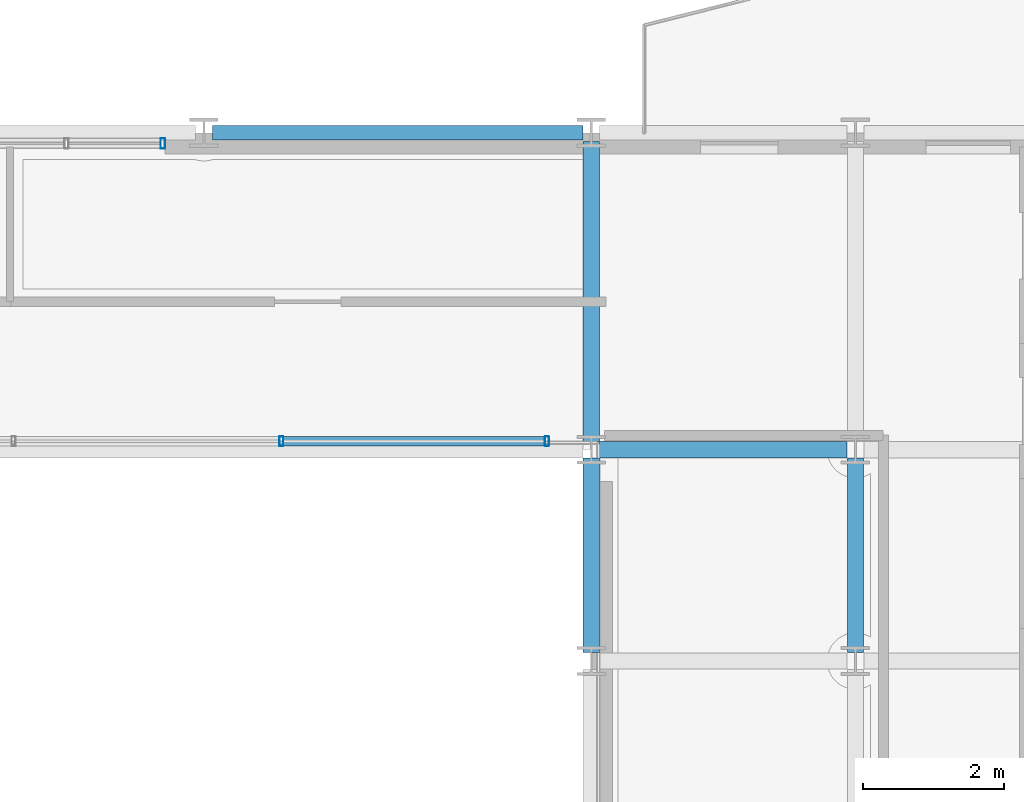
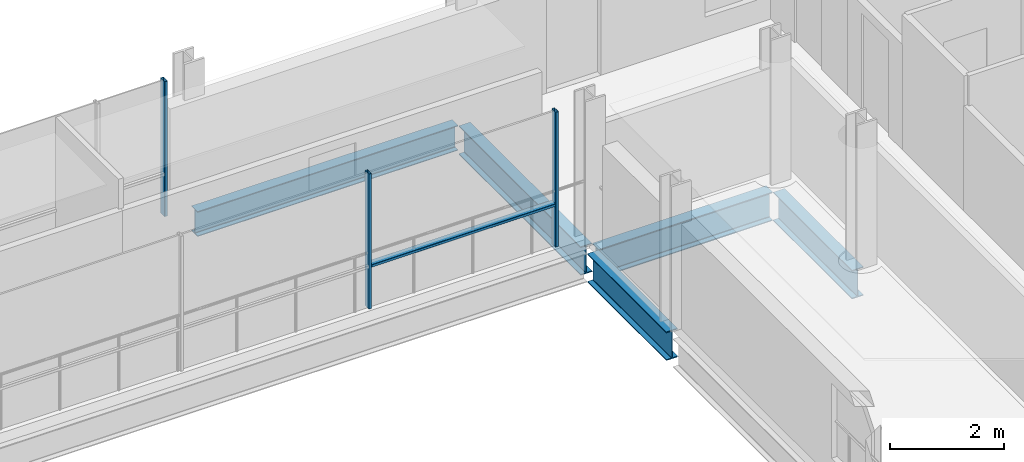
# One storey, part 19 of 38: 5 beams, 4 members, 2 elements without a shape of their own.
"""IFC4 building model written with IfcOpenShell, lengths in metres."""

from ifc_helpers import new_model, si_unit, direction, frame, origin, origin_2d, place, context, subcontext, project, spatial, hollow_rectangle, i_section, extrude, material, layer, layer_set, material_profile, profile_set, type_object, element, aggregate, save


model = new_model("IFC4")

# Units and contexts
model_context = context("Model", 3, precision=1e-05, world=origin(), true_north=direction((0.0, 1.0)))
body_context = subcontext(model_context, "Body", "Model", "MODEL_VIEW")
ifc_project = project(units=[si_unit("LENGTHUNIT", "METRE"), si_unit("AREAUNIT", "SQUARE_METRE"), si_unit("VOLUMEUNIT", "CUBIC_METRE"), si_unit("PLANEANGLEUNIT", "RADIAN"), si_unit("MASSUNIT", "GRAM", prefix="KILO")], contexts=[model_context])

# Site, building, storey
site_placement = place(None, origin())
site = spatial("IfcSite", under=ifc_project, at=site_placement, CompositionType="ELEMENT")
building_placement = place(site_placement, origin())
building = spatial("IfcBuilding", under=site, at=building_placement, Name="Brevholm Reach", CompositionType="ELEMENT")
storey_placement = place(building_placement, frame((0.0, 0.0, 166.60009765625)))
storey = spatial("IfcBuildingStorey", under=building, at=storey_placement, Name="L50", CompositionType="ELEMENT", Elevation=166.60009765625)

# Beams
ifc_material_1 = material(Name="Structural Steel S355J2", Category="steel")
ifc_material_profile_1 = material_profile(ifc_material_1, i_section(OverallWidth=0.209228515625, OverallDepth=0.533203125, WebThickness=0.010009765625, FlangeThickness=0.015625, FilletRadius=0.0126953125, at=origin_2d()), Name="UKB 533x210x92")
ifc_profile_set_1 = profile_set([ifc_material_profile_1], Name="Structural Steel S355J2")
beam_type_1 = type_object("IfcBeamType", Name="BM-SP533", PredefinedType="SPANDREL", material=ifc_profile_set_1)
beam_1_placement = place(storey_placement, frame((32.8701171875, 31.0, -0.486572265625), z_axis=(1.0, 0.0, 0.0), x_axis=(0.0, 1.0, 0.0)))
element("IfcBeam", 1, at=beam_1_placement, inside=storey, type_object=beam_type_1, Name="L50 SP-02 Framing Beam", PredefinedType="SPANDREL", context=body_context, shape_type="SweptSolid", body=[
    extrude(i_section(OverallWidth=0.209228515625, OverallDepth=0.533203125, WebThickness=0.010009765625, FlangeThickness=0.015625, FilletRadius=0.0126953125, at=origin_2d()), origin(), (0.0, 0.0, 1.0), 5.259765625),
])
ifc_material_2 = material(Name="Structural Steel S355J2", Category="steel")
ifc_material_profile_2 = material_profile(ifc_material_2, i_section(OverallWidth=0.22900390625, OverallDepth=0.6123046875, WebThickness=0.011962890625, FlangeThickness=0.01953125, FilletRadius=0.0126953125, at=origin_2d()), Name="UKB 610x229x125")
ifc_profile_set_2 = profile_set([ifc_material_profile_2], Name="Structural Steel S355J2")
beam_type_2 = type_object("IfcBeamType", Name="BM-SP610", PredefinedType="SPANDREL", material=ifc_profile_set_2)
beam_2_placement = place(storey_placement, frame((38.3701171875, 26.5, -0.526123046875), z_axis=(1.0, 0.0, 0.0), x_axis=(0.0, 1.0, 0.0)))
element("IfcBeam", 2, at=beam_2_placement, inside=storey, type_object=beam_type_2, Name="L50 SP-01 Framing Beam", PredefinedType="SPANDREL", context=body_context, shape_type="SweptSolid", body=[
    extrude(i_section(OverallWidth=0.22900390625, OverallDepth=0.6123046875, WebThickness=0.011962890625, FlangeThickness=0.01953125, FilletRadius=0.0126953125, at=origin_2d()), origin(), (0.0, 0.0, 1.0), 3.509765625),
])
beam_3_placement = place(storey_placement, frame((38.25, 23.6201171875, -0.526123046875), z_axis=(0.0, 1.0, 0.0), x_axis=(-1.0, 0.0, 0.0)))
element("IfcBeam", 3, at=beam_3_placement, inside=storey, type_object=beam_type_2, Name="L50 SP-01 Framing Beam", PredefinedType="SPANDREL", context=body_context, shape_type="SweptSolid", body=[
    extrude(i_section(OverallWidth=0.22900390625, OverallDepth=0.6123046875, WebThickness=0.011962890625, FlangeThickness=0.01953125, FilletRadius=0.0126953125, at=origin_2d()), origin(), (0.0, 0.0, 1.0), 2.759765625),
])
beam_4_placement = place(storey_placement, frame((38.25, 26.6201171875, -0.526123046875), z_axis=(0.0, 1.0, 0.0), x_axis=(-1.0, 0.0, 0.0)))
element("IfcBeam", 4, at=beam_4_placement, inside=storey, type_object=beam_type_2, Name="L50 SP-01 Framing Beam", PredefinedType="SPANDREL", context=body_context, shape_type="SweptSolid", body=[
    extrude(i_section(OverallWidth=0.22900390625, OverallDepth=0.6123046875, WebThickness=0.011962890625, FlangeThickness=0.01953125, FilletRadius=0.0126953125, at=origin_2d()), origin(), (0.0, 0.0, 1.0), 4.259765625),
])
beam_5_placement = place(storey_placement, frame((42.0, 23.6201171875, -0.526123046875), z_axis=(0.0, 1.0, 0.0), x_axis=(-1.0, 0.0, 0.0)))
element("IfcBeam", 5, at=beam_5_placement, inside=storey, type_object=beam_type_2, Name="L50 SP-01 Framing Beam", PredefinedType="SPANDREL", context=body_context, shape_type="SweptSolid", body=[
    extrude(i_section(OverallWidth=0.22900390625, OverallDepth=0.6123046875, WebThickness=0.011962890625, FlangeThickness=0.01953125, FilletRadius=0.0126953125, at=origin_2d()), origin(), (0.0, 0.0, 1.0), 2.759765625),
])

# Curtain wall, members
ifc_material_3 = material(Name="Dark Anodised Aluminium 6063-T6 and Solar-Control Glass", Category="aluminium")
ifc_layer_1 = layer(ifc_material_3, 0.139892578125)
ifc_layer_set_1 = layer_set([ifc_layer_1], Name="Dark Anodised Aluminium 6063-T6 and Solar-Control Glass")
curtain_wall_type_1 = type_object("IfcCurtainWallType", Name="CW-02", PredefinedType="NOTDEFINED", material=ifc_layer_set_1)
curtain_wall_1_placement = place(storey_placement, origin())
curtain_wall_1 = element("IfcCurtainWall", 6, at=curtain_wall_1_placement, inside=storey, type_object=curtain_wall_type_1, Name="L50 Curtain Wall CW-02", PredefinedType="NOTDEFINED")
ifc_material_4 = material(Name="Dark Anodised Aluminium 6063-T6", Category="aluminium")
ifc_material_profile_3 = material_profile(ifc_material_4, hollow_rectangle(XDim=0.06005859375, YDim=0.139892578125, WallThickness=0.0048828125, InnerFilletRadius=0.0048828125, OuterFilletRadius=0.010009765625, at=origin_2d()), Name="RHS 140x60x5")
ifc_profile_set_3 = profile_set([ifc_material_profile_3], Name="Dark Anodised Aluminium 6063-T6")
member_type_1 = type_object("IfcMemberType", Name="CWM-140", PredefinedType="MULLION", material=ifc_profile_set_3)
member_1_placement = place(storey_placement, frame((37.6201171875, 26.6201171875, 0.0), z_axis=(0.0, 0.0, 1.0), x_axis=(-1.0, 0.0, 0.0)))
member_1 = element("IfcMember", 7, at=member_1_placement, type_object=member_type_1, Name="CM-140 Mullion 1", PredefinedType="MULLION", context=body_context, shape_type="SweptSolid", body=[
    extrude(hollow_rectangle(XDim=0.06005859375, YDim=0.139892578125, WallThickness=0.0048828125, InnerFilletRadius=0.0048828125, OuterFilletRadius=0.010009765625, at=origin_2d()), origin(), (0.0, 0.0, 1.0), 2.8798828125),
])
member_2_placement = place(storey_placement, frame((33.85009765625, 26.6201171875, 0.0), z_axis=(0.0, 0.0, 1.0), x_axis=(-1.0, 0.0, 0.0)))
member_2 = element("IfcMember", 8, at=member_2_placement, type_object=member_type_1, Name="CM-140 Mullion 2", PredefinedType="MULLION", context=body_context, shape_type="SweptSolid", body=[
    extrude(hollow_rectangle(XDim=0.06005859375, YDim=0.139892578125, WallThickness=0.0048828125, InnerFilletRadius=0.0048828125, OuterFilletRadius=0.010009765625, at=origin_2d()), origin(), (0.0, 0.0, 1.0), 2.8798828125),
])

# Curtain wall, member
ifc_material_5 = material(Name="Dark Anodised Aluminium 6063-T6 and Solar-Control Glass", Category="aluminium")
ifc_layer_2 = layer(ifc_material_5, 0.14990234375)
ifc_layer_set_2 = layer_set([ifc_layer_2], Name="Dark Anodised Aluminium 6063-T6 and Solar-Control Glass")
curtain_wall_type_2 = type_object("IfcCurtainWallType", Name="CW-01", PredefinedType="NOTDEFINED", material=ifc_layer_set_2)
curtain_wall_2_placement = place(storey_placement, origin())
curtain_wall_2 = element("IfcCurtainWall", 9, at=curtain_wall_2_placement, inside=storey, type_object=curtain_wall_type_2, Name="L50 Curtain Wall CW-01", PredefinedType="NOTDEFINED")
ifc_material_6 = material(Name="Dark Anodised Aluminium 6063-T6", Category="aluminium")
ifc_material_profile_4 = material_profile(ifc_material_6, hollow_rectangle(XDim=0.06494140625, YDim=0.14990234375, WallThickness=0.0048828125, InnerFilletRadius=0.0048828125, OuterFilletRadius=0.010009765625, at=origin_2d()), Name="RHS 150x65x5")
ifc_profile_set_4 = profile_set([ifc_material_profile_4], Name="Dark Anodised Aluminium 6063-T6")
member_type_2 = type_object("IfcMemberType", Name="CWM-150", PredefinedType="MULLION", material=ifc_profile_set_4)
member_3_placement = place(storey_placement, frame((32.16748046875, 30.85009765625, 0.0), z_axis=(0.0, 0.0, 1.0), x_axis=(1.0, 0.0, 0.0)))
member_3 = element("IfcMember", 10, at=member_3_placement, type_object=member_type_2, Name="CM-150 Mullion 3", PredefinedType="MULLION", context=body_context, shape_type="SweptSolid", body=[
    extrude(hollow_rectangle(XDim=0.06494140625, YDim=0.14990234375, WallThickness=0.0048828125, InnerFilletRadius=0.0048828125, OuterFilletRadius=0.010009765625, at=origin_2d()), origin(), (0.0, 0.0, 1.0), 2.8798828125),
])
aggregate(curtain_wall_2, [member_3])

# Member
ifc_material_7 = material(Name="Dark Anodised Aluminium 6063-T6", Category="aluminium")
ifc_material_profile_5 = material_profile(ifc_material_7, hollow_rectangle(XDim=0.06005859375, YDim=0.139892578125, WallThickness=0.0048828125, InnerFilletRadius=0.0048828125, OuterFilletRadius=0.010009765625, at=origin_2d()), Name="RHS 140x60x5")
ifc_profile_set_5 = profile_set([ifc_material_profile_5], Name="Dark Anodised Aluminium 6063-T6")
member_type_3 = type_object("IfcMemberType", Name="CWT-140", PredefinedType="NOTDEFINED", material=ifc_profile_set_5)
member_4_placement = place(storey_placement, frame((37.590087890625, 26.6201171875, 0.89990234375), z_axis=(-1.0, 0.0, 0.0), x_axis=(0.0, 0.0, 1.0)))
member_4 = element("IfcMember", 11, at=member_4_placement, type_object=member_type_3, Name="CT-140 Transom 1.1", ObjectType="TRANSOM", PredefinedType="USERDEFINED", context=body_context, shape_type="SweptSolid", body=[
    extrude(hollow_rectangle(XDim=0.06005859375, YDim=0.139892578125, WallThickness=0.0048828125, InnerFilletRadius=0.0048828125, OuterFilletRadius=0.010009765625, at=origin_2d()), origin(), (0.0, 0.0, 1.0), 3.710205078125),
])

aggregate(curtain_wall_1, [member_1, member_2, member_4])

save(model, "model.ifc")
